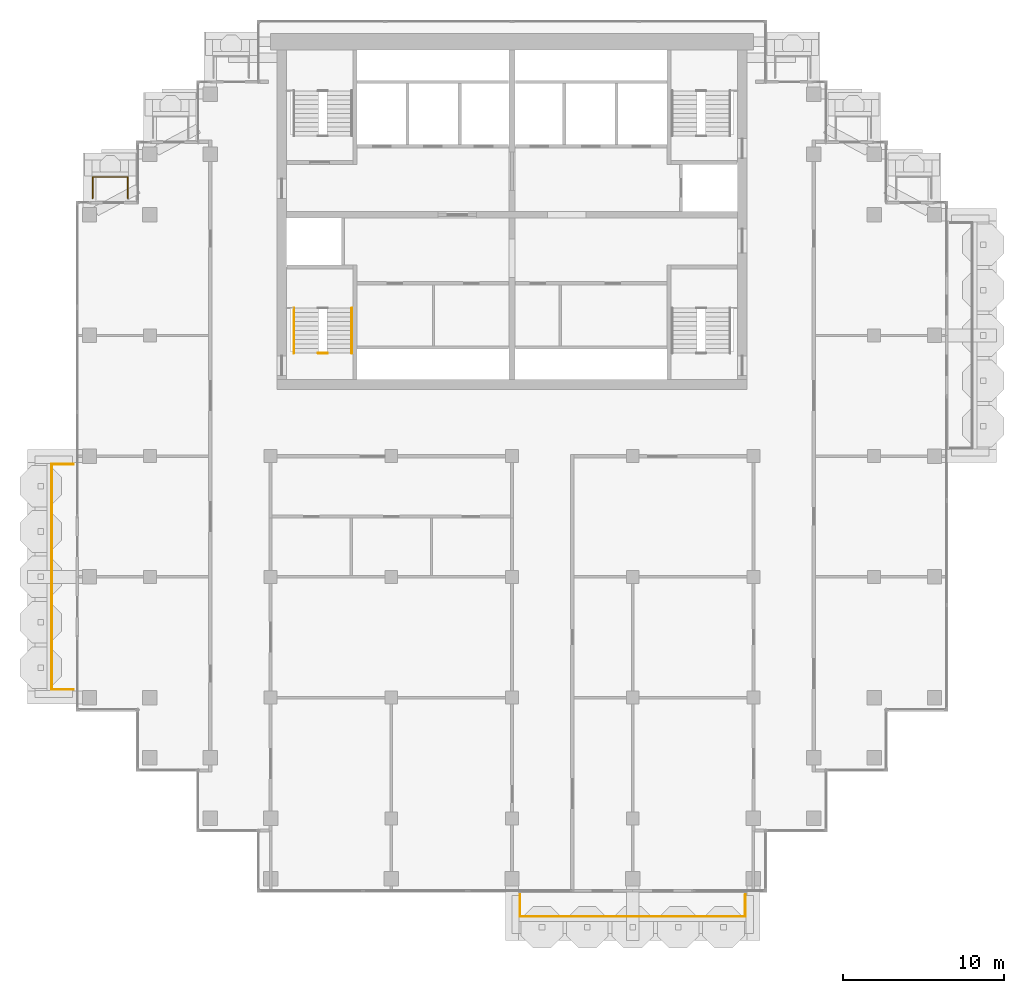
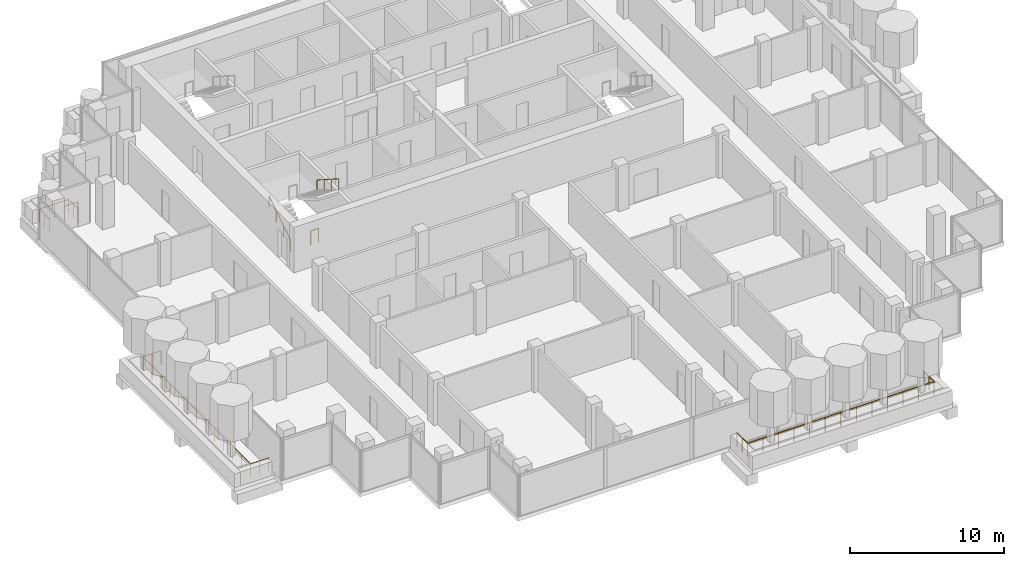
# One storey, part 15 of 18: 6 railings.
"""IFC4 building model written with IfcOpenShell, lengths in metres."""

from ifc_helpers import new_model, si_unit, direction, frame, origin, origin_2d, place, context, subcontext, project, spatial, circle, extrude, material, type_object, element, save


model = new_model("IFC4")

# Units and contexts
model_context = context("Model", 3, precision=1e-05, world=origin(), true_north=direction((0.0, 1.0)))
body_context = subcontext(model_context, "Body", "Model", "MODEL_VIEW")
ifc_project = project(units=[si_unit("LENGTHUNIT", "METRE"), si_unit("AREAUNIT", "SQUARE_METRE"), si_unit("VOLUMEUNIT", "CUBIC_METRE"), si_unit("PLANEANGLEUNIT", "RADIAN"), si_unit("MASSUNIT", "GRAM", prefix="KILO")], contexts=[model_context])

# Site, building, storey
site_placement = place(None, origin())
site = spatial("IfcSite", under=ifc_project, at=site_placement, CompositionType="ELEMENT")
building_placement = place(site_placement, origin())
building = spatial("IfcBuilding", under=site, at=building_placement, Name="Pilkhan Gate Tower", CompositionType="ELEMENT")
storey_placement = place(building_placement, frame((0.0, 0.0, 231.89990234375)))
storey = spatial("IfcBuildingStorey", under=building, at=storey_placement, Name="L60", CompositionType="ELEMENT", Elevation=231.89990234375)

# Railings
ifc_material_1 = material(Name="Pale anodised aluminium posts, laminated glass infill", Category="aluminium")
railing_type_1 = type_object("IfcRailingType", Name="Balcony guard G1", PredefinedType="BALUSTRADE", material=ifc_material_1)
railing_1_placement = place(storey_placement, frame((75.5, 40.25, 0.0)))
element("IfcRailing", 1, at=railing_1_placement, inside=storey, type_object=railing_type_1, Name="Balcony guard L60 S", PredefinedType="BALUSTRADE", context=body_context, shape_type="SweptSolid", body=[
    extrude(circle(Radius=0.02392578125, at=origin_2d()), frame((0.0, 0.0, 1.076171875), z_axis=(0.0, -1.0, 0.0), x_axis=(1.0, 0.0, 0.0)), (0.0, 0.0, 1.0), 1.35009765625),
    extrude(circle(Radius=0.02392578125, at=origin_2d()), frame((0.0, -1.35009765625, 1.076171875), z_axis=(1.0, 0.0, 0.0), x_axis=(0.0, 1.0, 0.0)), (0.0, 0.0, 1.0), 14.0),
    extrude(circle(Radius=0.02392578125, at=origin_2d()), frame((14.0, -1.35009765625, 1.076171875), z_axis=(0.0, 1.0, 0.0), x_axis=(-1.0, 0.0, 0.0)), (0.0, 0.0, 1.0), 1.35009765625),
    extrude(circle(Radius=0.02099609375, at=origin_2d()), origin(), (0.0, 0.0, 1.0), 1.052001953125),
    extrude(circle(Radius=0.02099609375, at=origin_2d()), frame((0.0, -0.675048828125, 0.0)), (0.0, 0.0, 1.0), 1.052001953125),
    extrude(circle(Radius=0.02099609375, at=origin_2d()), frame((0.0, -1.35009765625, 0.0)), (0.0, 0.0, 1.0), 1.052001953125),
    extrude(circle(Radius=0.02099609375, at=origin_2d()), frame((1.166748046875, -1.35009765625, 0.0)), (0.0, 0.0, 1.0), 1.052001953125),
    extrude(circle(Radius=0.02099609375, at=origin_2d()), frame((2.333251953125, -1.35009765625, 0.0)), (0.0, 0.0, 1.0), 1.052001953125),
    extrude(circle(Radius=0.02099609375, at=origin_2d()), frame((3.5, -1.35009765625, 0.0)), (0.0, 0.0, 1.0), 1.052001953125),
    extrude(circle(Radius=0.02099609375, at=origin_2d()), frame((4.666748046875, -1.35009765625, 0.0)), (0.0, 0.0, 1.0), 1.052001953125),
    extrude(circle(Radius=0.02099609375, at=origin_2d()), frame((5.833251953125, -1.35009765625, 0.0)), (0.0, 0.0, 1.0), 1.052001953125),
    extrude(circle(Radius=0.02099609375, at=origin_2d()), frame((7.0, -1.35009765625, 0.0)), (0.0, 0.0, 1.0), 1.052001953125),
    extrude(circle(Radius=0.02099609375, at=origin_2d()), frame((8.166748046875, -1.35009765625, 0.0)), (0.0, 0.0, 1.0), 1.052001953125),
    extrude(circle(Radius=0.02099609375, at=origin_2d()), frame((9.333251953125, -1.35009765625, 0.0)), (0.0, 0.0, 1.0), 1.052001953125),
    extrude(circle(Radius=0.02099609375, at=origin_2d()), frame((10.5, -1.35009765625, 0.0)), (0.0, 0.0, 1.0), 1.052001953125),
    extrude(circle(Radius=0.02099609375, at=origin_2d()), frame((11.666748046875, -1.35009765625, 0.0)), (0.0, 0.0, 1.0), 1.052001953125),
    extrude(circle(Radius=0.02099609375, at=origin_2d()), frame((12.833251953125, -1.35009765625, 0.0)), (0.0, 0.0, 1.0), 1.052001953125),
    extrude(circle(Radius=0.02099609375, at=origin_2d()), frame((14.0, -1.35009765625, 0.0)), (0.0, 0.0, 1.0), 1.052001953125),
    extrude(circle(Radius=0.02099609375, at=origin_2d()), frame((14.0, -0.675048828125, 0.0)), (0.0, 0.0, 1.0), 1.052001953125),
    extrude(circle(Radius=0.02099609375, at=origin_2d()), frame((14.0, 0.0, 0.0)), (0.0, 0.0, 1.0), 1.052001953125),
])
railing_2_placement = place(storey_placement, frame((48.949951171875, 83.52001953125, 0.0)))
element("IfcRailing", 2, at=railing_2_placement, inside=storey, type_object=railing_type_1, Name="Balcony guard L60 N", PredefinedType="BALUSTRADE", context=body_context, shape_type="SweptSolid", body=[
    extrude(circle(Radius=0.02392578125, at=origin_2d()), frame((0.0, 0.0, 1.076171875), z_axis=(0.0, 1.0, 0.0), x_axis=(-1.0, 0.0, 0.0)), (0.0, 0.0, 1.0), 1.330078125),
    extrude(circle(Radius=0.02392578125, at=origin_2d()), frame((0.0, 1.330078125, 1.076171875), z_axis=(1.0, 0.0, 0.0), x_axis=(0.0, 1.0, 0.0)), (0.0, 0.0, 1.0), 2.179931640625),
    extrude(circle(Radius=0.02392578125, at=origin_2d()), frame((2.179931640625, 1.330078125, 1.076171875), z_axis=(0.0, -1.0, 0.0), x_axis=(1.0, 0.0, 0.0)), (0.0, 0.0, 1.0), 1.330078125),
    extrude(circle(Radius=0.02099609375, at=origin_2d()), origin(), (0.0, 0.0, 1.0), 1.052001953125),
    extrude(circle(Radius=0.02099609375, at=origin_2d()), frame((0.0, 0.6650390625, 0.0)), (0.0, 0.0, 1.0), 1.052001953125),
    extrude(circle(Radius=0.02099609375, at=origin_2d()), frame((0.0, 1.330078125, 0.0)), (0.0, 0.0, 1.0), 1.052001953125),
    extrude(circle(Radius=0.02099609375, at=origin_2d()), frame((1.08984375, 1.330078125, 0.0)), (0.0, 0.0, 1.0), 1.052001953125),
    extrude(circle(Radius=0.02099609375, at=origin_2d()), frame((2.179931640625, 1.330078125, 0.0)), (0.0, 0.0, 1.0), 1.052001953125),
    extrude(circle(Radius=0.02099609375, at=origin_2d()), frame((2.179931640625, 0.6650390625, 0.0)), (0.0, 0.0, 1.0), 1.052001953125),
    extrude(circle(Radius=0.02099609375, at=origin_2d()), frame((2.179931640625, 0.0, 0.0)), (0.0, 0.0, 1.0), 1.052001953125),
])
railing_3_placement = place(storey_placement, frame((47.75, 53.0, 0.0)))
element("IfcRailing", 3, at=railing_3_placement, inside=storey, type_object=railing_type_1, Name="Balcony guard L60 W", PredefinedType="BALUSTRADE", context=body_context, shape_type="SweptSolid", body=[
    extrude(circle(Radius=0.02392578125, at=origin_2d()), frame((0.0, 0.0, 1.076171875), z_axis=(-1.0, 0.0, 0.0), x_axis=(0.0, -1.0, 0.0)), (0.0, 0.0, 1.0), 1.35009765625),
    extrude(circle(Radius=0.02392578125, at=origin_2d()), frame((-1.35009765625, 0.0, 1.076171875), z_axis=(0.0, 1.0, 0.0), x_axis=(-1.0, 0.0, 0.0)), (0.0, 0.0, 1.0), 14.0),
    extrude(circle(Radius=0.02392578125, at=origin_2d()), frame((-1.35009765625, 14.0, 1.076171875), z_axis=(1.0, 0.0, 0.0), x_axis=(0.0, 1.0, 0.0)), (0.0, 0.0, 1.0), 1.35009765625),
    extrude(circle(Radius=0.02099609375, at=origin_2d()), origin(), (0.0, 0.0, 1.0), 1.052001953125),
    extrude(circle(Radius=0.02099609375, at=origin_2d()), frame((-0.675048828125, 0.0, 0.0)), (0.0, 0.0, 1.0), 1.052001953125),
    extrude(circle(Radius=0.02099609375, at=origin_2d()), frame((-1.35009765625, 0.0, 0.0)), (0.0, 0.0, 1.0), 1.052001953125),
    extrude(circle(Radius=0.02099609375, at=origin_2d()), frame((-1.35009765625, 1.166748046875, 0.0)), (0.0, 0.0, 1.0), 1.052001953125),
    extrude(circle(Radius=0.02099609375, at=origin_2d()), frame((-1.35009765625, 2.333251953125, 0.0)), (0.0, 0.0, 1.0), 1.052001953125),
    extrude(circle(Radius=0.02099609375, at=origin_2d()), frame((-1.35009765625, 3.5, 0.0)), (0.0, 0.0, 1.0), 1.052001953125),
    extrude(circle(Radius=0.02099609375, at=origin_2d()), frame((-1.35009765625, 4.666748046875, 0.0)), (0.0, 0.0, 1.0), 1.052001953125),
    extrude(circle(Radius=0.02099609375, at=origin_2d()), frame((-1.35009765625, 5.833251953125, 0.0)), (0.0, 0.0, 1.0), 1.052001953125),
    extrude(circle(Radius=0.02099609375, at=origin_2d()), frame((-1.35009765625, 7.0, 0.0)), (0.0, 0.0, 1.0), 1.052001953125),
    extrude(circle(Radius=0.02099609375, at=origin_2d()), frame((-1.35009765625, 8.166748046875, 0.0)), (0.0, 0.0, 1.0), 1.052001953125),
    extrude(circle(Radius=0.02099609375, at=origin_2d()), frame((-1.35009765625, 9.333251953125, 0.0)), (0.0, 0.0, 1.0), 1.052001953125),
    extrude(circle(Radius=0.02099609375, at=origin_2d()), frame((-1.35009765625, 10.5, 0.0)), (0.0, 0.0, 1.0), 1.052001953125),
    extrude(circle(Radius=0.02099609375, at=origin_2d()), frame((-1.35009765625, 11.666748046875, 0.0)), (0.0, 0.0, 1.0), 1.052001953125),
    extrude(circle(Radius=0.02099609375, at=origin_2d()), frame((-1.35009765625, 12.833251953125, 0.0)), (0.0, 0.0, 1.0), 1.052001953125),
    extrude(circle(Radius=0.02099609375, at=origin_2d()), frame((-1.35009765625, 14.0, 0.0)), (0.0, 0.0, 1.0), 1.052001953125),
    extrude(circle(Radius=0.02099609375, at=origin_2d()), frame((-0.675048828125, 14.0, 0.0)), (0.0, 0.0, 1.0), 1.052001953125),
    extrude(circle(Radius=0.02099609375, at=origin_2d()), frame((0.0, 14.0, 0.0)), (0.0, 0.0, 1.0), 1.052001953125),
])
ifc_material_2 = material(Name="Black powder-coated steel tube", Category="steel")
railing_type_2 = type_object("IfcRailingType", Name="Stair handrail HR1", PredefinedType="HANDRAIL", material=ifc_material_2)
railing_4_placement = place(storey_placement, frame((61.449951171875, 73.89990234375, 0.0)))
element("IfcRailing", 4, at=railing_4_placement, inside=storey, type_object=railing_type_2, Name="Stair ST2 handrail L60", PredefinedType="HANDRAIL", context=body_context, shape_type="SweptSolid", body=[
    extrude(circle(Radius=0.02392578125, at=origin_2d()), frame((0.0, 0.0, 0.8759765625), z_axis=(0.0, 0.841176092368, 0.540761298198), x_axis=(-1.0, 0.0, 0.0)), (0.0, 0.0, 1.0), 3.32861328125),
    extrude(circle(Radius=0.02099609375, at=origin_2d()), origin(), (0.0, 0.0, 1.0), 0.851806640625),
    extrude(circle(Radius=0.02099609375, at=origin_2d()), frame((0.0, 0.933349609375, 0.60009765625)), (0.0, 0.0, 1.0), 0.851806640625),
    extrude(circle(Radius=0.02099609375, at=origin_2d()), frame((0.0, 1.86669921875, 1.199951171875)), (0.0, 0.0, 1.0), 0.851806640625),
    extrude(circle(Radius=0.02099609375, at=origin_2d()), frame((0.0, 2.800048828125, 1.800048828125)), (0.0, 0.0, 1.0), 0.851806640625),
])
railing_5_placement = place(storey_placement, frame((65.050048828125, 76.699951171875, 1.800048828125)))
element("IfcRailing", 5, at=railing_5_placement, inside=storey, type_object=railing_type_2, Name="Stair ST2 handrail L60", PredefinedType="HANDRAIL", context=body_context, shape_type="SweptSolid", body=[
    extrude(circle(Radius=0.02392578125, at=origin_2d()), frame((0.0, 0.0, 0.8759765625), z_axis=(0.0, -0.841176092368, 0.540761298198), x_axis=(1.0, 0.0, 0.0)), (0.0, 0.0, 1.0), 3.32861328125),
    extrude(circle(Radius=0.02099609375, at=origin_2d()), origin(), (0.0, 0.0, 1.0), 0.851806640625),
    extrude(circle(Radius=0.02099609375, at=origin_2d()), frame((0.0, -0.933349609375, 0.60009765625)), (0.0, 0.0, 1.0), 0.851806640625),
    extrude(circle(Radius=0.02099609375, at=origin_2d()), frame((0.0, -1.86669921875, 1.199951171875)), (0.0, 0.0, 1.0), 0.851806640625),
    extrude(circle(Radius=0.02099609375, at=origin_2d()), frame((0.0, -2.800048828125, 1.800048828125)), (0.0, 0.0, 1.0), 0.851806640625),
])
ifc_material_3 = material(Name="Black powder-coated steel balusters", Category="steel")
railing_type_3 = type_object("IfcRailingType", Name="Stair well guard G3", PredefinedType="GUARDRAIL", material=ifc_material_3)
railing_6_placement = place(storey_placement, frame((62.9599609375, 73.89990234375, 0.0)))
element("IfcRailing", 6, at=railing_6_placement, inside=storey, type_object=railing_type_3, Name="Stair ST2 well guard L60", PredefinedType="GUARDRAIL", context=body_context, shape_type="SweptSolid", body=[
    extrude(circle(Radius=0.02392578125, at=origin_2d()), frame((0.0, 0.0, 1.076171875), z_axis=(1.0, 0.0, 0.0), x_axis=(0.0, 1.0, 0.0)), (0.0, 0.0, 1.0), 0.580078125),
    extrude(circle(Radius=0.02099609375, at=origin_2d()), origin(), (0.0, 0.0, 1.0), 1.052001953125),
    extrude(circle(Radius=0.02099609375, at=origin_2d()), frame((0.580078125, 0.0, 0.0)), (0.0, 0.0, 1.0), 1.052001953125),
])

save(model, "model.ifc")
